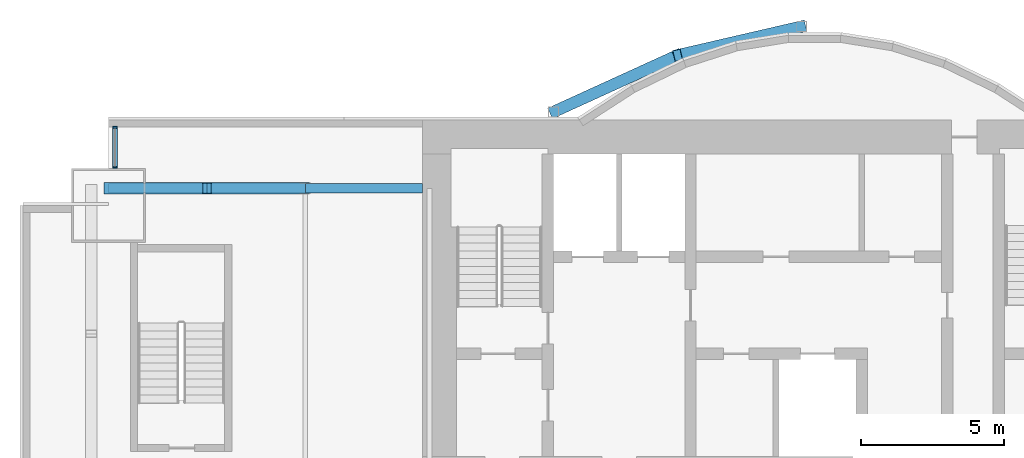
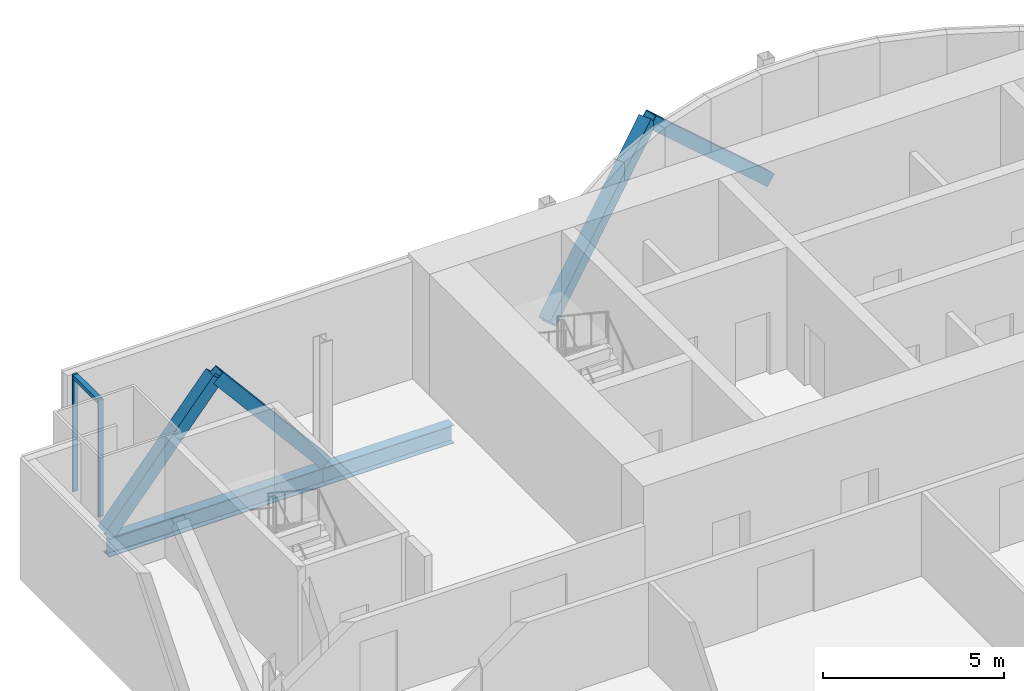
# One storey, part 10 of 20: 7 members, 2 beams, 1 element without a shape of its own.
"""IFC4 building model written with IfcOpenShell, lengths in metres."""

from ifc_helpers import new_model, si_unit, direction, frame, origin, origin_2d, place, context, subcontext, project, spatial, rectangle, hollow_rectangle, i_section, extrude, material, material_profile, profile_set, type_object, element, aggregate, save


model = new_model("IFC4")

# Units and contexts
model_context = context("Model", 3, precision=1e-05, world=origin(), true_north=direction((0.0, 1.0)))
body_context = subcontext(model_context, "Body", "Model", "MODEL_VIEW")
ifc_project = project(units=[si_unit("LENGTHUNIT", "METRE"), si_unit("AREAUNIT", "SQUARE_METRE"), si_unit("VOLUMEUNIT", "CUBIC_METRE"), si_unit("PLANEANGLEUNIT", "RADIAN"), si_unit("MASSUNIT", "GRAM", prefix="KILO")], contexts=[model_context])

# Site, building, storey
site_placement = place(None, origin())
site = spatial("IfcSite", under=ifc_project, at=site_placement, CompositionType="ELEMENT")
building_placement = place(site_placement, origin())
building = spatial("IfcBuilding", under=site, at=building_placement, Name="Bicima Exchange Tower", CompositionType="ELEMENT")
storey_placement = place(building_placement, frame((0.0, 0.0, 177.300048828125)))
storey = spatial("IfcBuildingStorey", under=building, at=storey_placement, Name="L39", CompositionType="ELEMENT", Elevation=177.300048828125)

# Curtain wall, members
ifc_material_1 = material(Name="Anodised bronze aluminium", Category="aluminium")
curtain_wall_type = type_object("IfcCurtainWallType", Name="Front glass wall", PredefinedType="NOTDEFINED", material=ifc_material_1)
curtain_wall_placement = place(storey_placement, origin())
curtain_wall = element("IfcCurtainWall", 1, at=curtain_wall_placement, inside=storey, type_object=curtain_wall_type, Name="Front glass wall L39 run 1", PredefinedType="NOTDEFINED")
ifc_material_profile_1 = material_profile(ifc_material_1, rectangle(XDim=0.159912109375, YDim=0.06005859375, at=origin_2d()))
ifc_profile_set_1 = profile_set([ifc_material_profile_1], Name="Anodised bronze aluminium")
member_type_1 = type_object("IfcMemberType", Name="Front glass wall mullion 60 x 160", PredefinedType="MULLION", material=ifc_profile_set_1)
member_1_placement = place(storey_placement, frame((-32.77001953125, -0.260009765625, 0.0), z_axis=(0.0, 0.0, 1.0), x_axis=(1.0, 0.0, 0.0)))
member_1 = element("IfcMember", 2, at=member_1_placement, type_object=member_type_1, Name="Front glass wall mullion 1", PredefinedType="MULLION", context=body_context, shape_type="SweptSolid", body=[
    extrude(rectangle(XDim=0.159912109375, YDim=0.06005859375, at=origin_2d()), origin(), (0.0, 0.0, 1.0), 3.949951171875),
])
member_2_placement = place(storey_placement, frame((-32.77001953125, -1.669921875, 0.0), z_axis=(0.0, 0.0, 1.0), x_axis=(1.0, 0.0, 0.0)))
member_2 = element("IfcMember", 3, at=member_2_placement, type_object=member_type_1, Name="Front glass wall mullion 2", PredefinedType="MULLION", context=body_context, shape_type="SweptSolid", body=[
    extrude(rectangle(XDim=0.159912109375, YDim=0.06005859375, at=origin_2d()), origin(), (0.0, 0.0, 1.0), 3.949951171875),
])
ifc_material_profile_2 = material_profile(ifc_material_1, rectangle(XDim=0.159912109375, YDim=0.139892578125, at=origin_2d()))
ifc_profile_set_2 = profile_set([ifc_material_profile_2], Name="Anodised bronze aluminium")
member_type_2 = type_object("IfcMemberType", Name="Front glass wall transom 140 x 160", PredefinedType="USERDEFINED", material=ifc_profile_set_2)
member_3_placement = place(storey_placement, frame((-32.77001953125, -0.2900390625, 3.8798828125), z_axis=(0.0, -1.0, 0.0), x_axis=(1.0, 0.0, 0.0)))
member_3 = element("IfcMember", 4, at=member_3_placement, type_object=member_type_2, Name="Front glass wall transom 1.1", ObjectType="TRANSOM", PredefinedType="USERDEFINED", context=body_context, shape_type="SweptSolid", body=[
    extrude(rectangle(XDim=0.159912109375, YDim=0.139892578125, at=origin_2d()), origin(), (0.0, 0.0, 1.0), 1.349853515625),
])
aggregate(curtain_wall, [member_1, member_2, member_3])

# Members
ifc_material_2 = material(Name="Steel ASTM A572 Gr 50", Category="steel")
ifc_material_profile_3 = material_profile(ifc_material_2, hollow_rectangle(XDim=0.406494140625, YDim=0.406494140625, WallThickness=0.017822265625, at=origin_2d()))
ifc_profile_set_3 = profile_set([ifc_material_profile_3], Name="Steel ASTM A572 Gr 50")
member_type_3 = type_object("IfcMemberType", Name="Mega brace HSS16x16x3/4", PredefinedType="BRACE", material=ifc_profile_set_3)
member_4_placement = place(storey_placement, frame((-17.39990234375, 0.278076171875, 0.0), z_axis=(0.690646390594, 0.3150684101, 0.650952732629), x_axis=(-0.415045223819, 0.909800781592, 0.0)))
element("IfcMember", 5, at=member_4_placement, inside=storey, type_object=member_type_3, Name="Mega brace rexo", PredefinedType="BRACE", context=body_context, shape_type="SweptSolid", body=[
    extrude(hollow_rectangle(XDim=0.406494140625, YDim=0.406494140625, WallThickness=0.017822265625, at=origin_2d()), origin(), (0.0, 0.0, 1.0), 6.29833984375),
])
member_5_placement = place(storey_placement, frame((-8.699951171875, 3.26904296875, 0.0), z_axis=(-0.717625168184, -0.166055032463, 0.676342993002), x_axis=(0.225438503722, -0.974257399787, 0.0)))
element("IfcMember", 6, at=member_5_placement, inside=storey, type_object=member_type_3, Name="Mega brace rexo", PredefinedType="BRACE", context=body_context, shape_type="SweptSolid", body=[
    extrude(hollow_rectangle(XDim=0.406494140625, YDim=0.406494140625, WallThickness=0.017822265625, at=origin_2d()), origin(), (0.0, 0.0, 1.0), 6.061767578125),
])
for number, where, z_axis, x_axis, name in (
    (7, (-33.0, -2.39990234375, 0.0), (0.643856488545, 0.0, 0.765146275008), (0.0, 1.0, 0.0), "Mega brace rear"),
    (8, (-26.10009765625, -2.39990234375, 0.0), (-0.643856488545, 0.0, 0.765146275008), (0.0, -1.0, 0.0), "Mega brace rear"),
):
    element("IfcMember", number, at=place(storey_placement, frame(where, z_axis=z_axis, x_axis=x_axis)), inside=storey, type_object=member_type_3, Name=name, PredefinedType="BRACE", context=body_context, shape_type="SweptSolid", body=[
        extrude(hollow_rectangle(XDim=0.406494140625, YDim=0.406494140625, WallThickness=0.017822265625, at=origin_2d()), origin(), (0.0, 0.0, 1.0), 5.358154296875),
    ])

# Beams
ifc_material_3 = material(Name="Steel ASTM A992 Gr 50", Category="steel")
ifc_material_profile_4 = material_profile(ifc_material_3, i_section(OverallWidth=0.3251953125, OverallDepth=0.612060546875, WebThickness=0.0126953125, FlangeThickness=0.01904296875, at=origin_2d()))
ifc_profile_set_4 = profile_set([ifc_material_profile_4], Name="Steel ASTM A992 Gr 50")
beam_type = type_object("IfcBeamType", Name="Rear girder W24x104", PredefinedType="BEAM", material=ifc_profile_set_4)
beam_1_placement = place(storey_placement, frame((-22.0, -2.39990234375, -0.4560546875), z_axis=(-1.0, 0.0, 0.0), x_axis=(0.0, -1.0, 0.0)))
element("IfcBeam", 9, at=beam_1_placement, inside=storey, type_object=beam_type, Name="Rear girder", PredefinedType="BEAM", context=body_context, shape_type="SweptSolid", body=[
    extrude(i_section(OverallWidth=0.3251953125, OverallDepth=0.612060546875, WebThickness=0.0126953125, FlangeThickness=0.01904296875, at=origin_2d()), origin(), (0.0, 0.0, 1.0), 4.10009765625),
])
beam_2_placement = place(storey_placement, frame((-26.10009765625, -2.39990234375, -0.4560546875), z_axis=(-1.0, 0.0, 0.0), x_axis=(0.0, -1.0, 0.0)))
element("IfcBeam", 10, at=beam_2_placement, inside=storey, type_object=beam_type, Name="Rear girder", PredefinedType="BEAM", context=body_context, shape_type="SweptSolid", body=[
    extrude(i_section(OverallWidth=0.3251953125, OverallDepth=0.612060546875, WebThickness=0.0126953125, FlangeThickness=0.01904296875, at=origin_2d()), origin(), (0.0, 0.0, 1.0), 6.89990234375),
])

save(model, "model.ifc")
